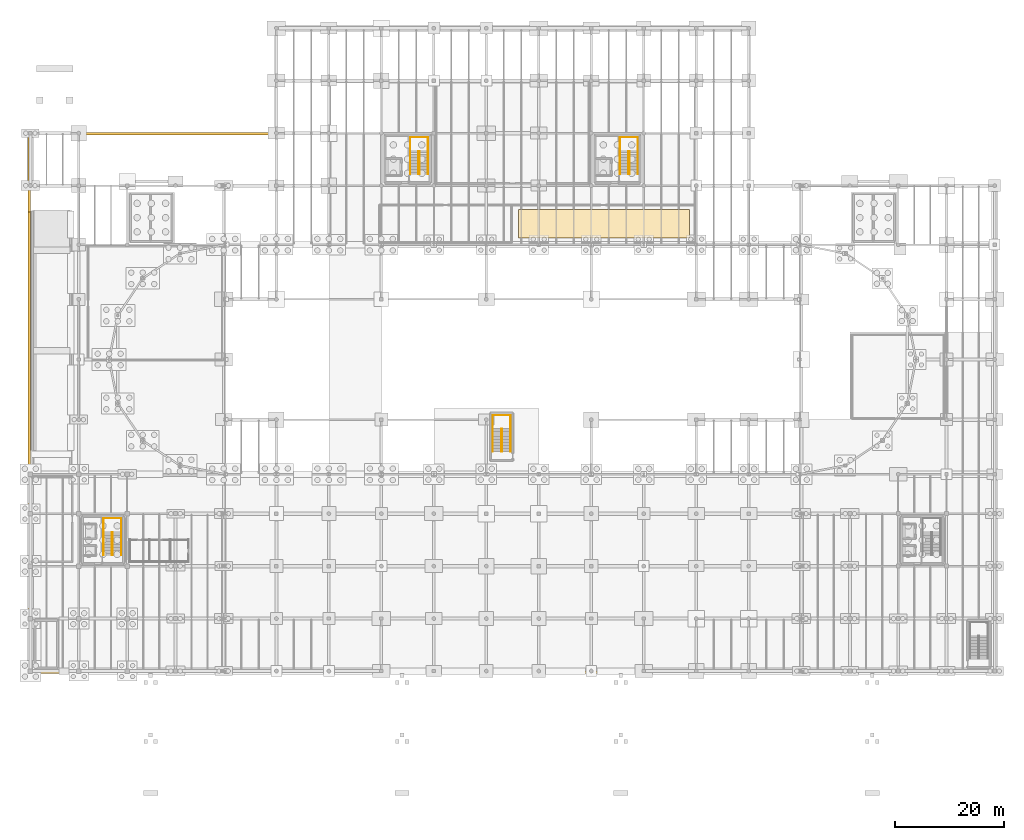
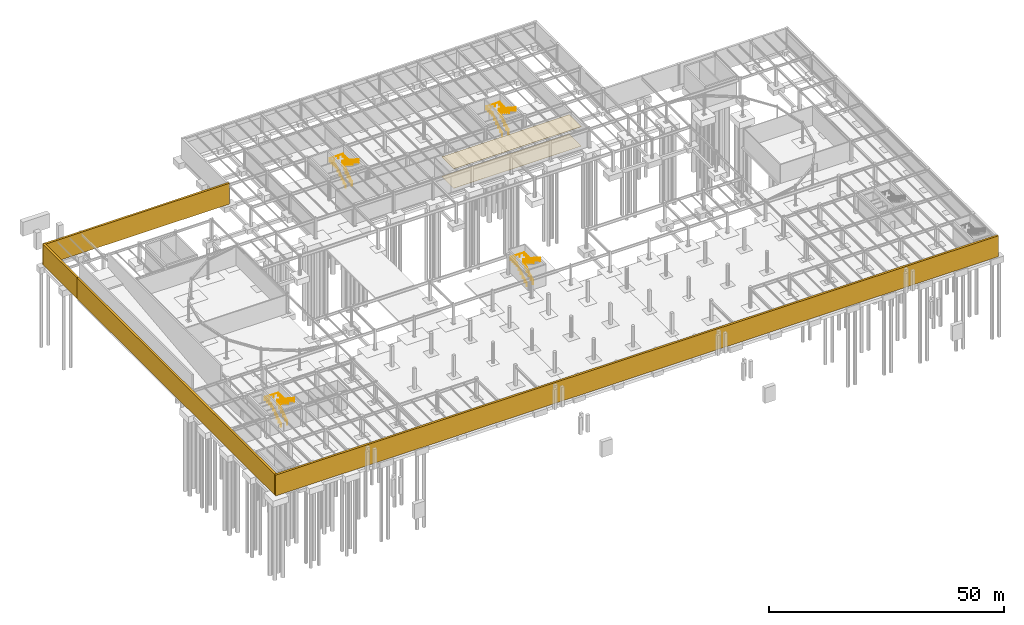
# One storey, part 48 of 50: 8 railings, 6 coverings.
"""IFC4 building model written with IfcOpenShell, lengths in metres."""

from ifc_helpers import new_model, si_unit, direction, frame, origin, origin_2d, place, context, subcontext, project, spatial, polyline, circle, outline, extrude, material, layer, layer_set, type_object, element, save


model = new_model("IFC4")

# Units and contexts
model_context = context("Model", 3, precision=1e-05, world=origin(), true_north=direction((0.0, 1.0)))
body_context = subcontext(model_context, "Body", "Model", "MODEL_VIEW")
ifc_project = project(units=[si_unit("LENGTHUNIT", "METRE"), si_unit("AREAUNIT", "SQUARE_METRE"), si_unit("VOLUMEUNIT", "CUBIC_METRE"), si_unit("PLANEANGLEUNIT", "RADIAN"), si_unit("MASSUNIT", "GRAM", prefix="KILO")], contexts=[model_context])

# Site, building, storey
site_placement = place(None, origin())
site = spatial("IfcSite", under=ifc_project, at=site_placement, CompositionType="ELEMENT")
building_placement = place(site_placement, origin())
building = spatial("IfcBuilding", under=site, at=building_placement, Name="Yeouljin Market Hall", CompositionType="ELEMENT")
storey_placement = place(building_placement, frame((0.0, 0.0, -5.39990234375)))
storey = spatial("IfcBuildingStorey", under=building, at=storey_placement, Name="B1", CompositionType="ELEMENT", Elevation=-5.39990234375)

# Coverings
ifc_material_1 = material(Name="Pocheon Granite Stone", Category="masonry")
ifc_layer_1 = layer(ifc_material_1, 0.360107421875)
ifc_layer_set_1 = layer_set([ifc_layer_1], Name="Pocheon Granite Stone")
covering_type_1 = type_object("IfcCoveringType", Name="Covering_Granite_FloodPlinth", PredefinedType="CLADDING", material=ifc_layer_set_1)
covering_1_placement = place(storey_placement, origin())
element("IfcCovering", 1, at=covering_1_placement, inside=storey, type_object=covering_type_1, Name="Pocheon granite coastal flood plinth enclosure PLSK-SOUTH", PredefinedType="CLADDING", context=body_context, shape_type="SweptSolid", body=[
    extrude(outline(polyline([(-0.449951171875, -0.449951171875), (176.85009765625, -0.449951171875), (176.85009765625, 0.050048828125), (-0.449951171875, 0.050048828125), (-0.449951171875, -0.449951171875)])), origin(), (0.0, 0.0, 1.0), 5.39990234375),
])
covering_2_placement = place(storey_placement, origin())
element("IfcCovering", 2, at=covering_2_placement, inside=storey, type_object=covering_type_1, Name="Pocheon granite coastal flood plinth enclosure PLSK-WEST-S", PredefinedType="CLADDING", context=body_context, shape_type="SweptSolid", body=[
    extrude(outline(polyline([(-0.449951171875, 0.0), (0.050048828125, 0.0), (0.050048828125, 84.0), (-0.449951171875, 84.0), (-0.449951171875, 0.0)])), origin(), (0.0, 0.0, 1.0), 5.39990234375),
])
covering_3_placement = place(storey_placement, origin())
element("IfcCovering", 3, at=covering_3_placement, inside=storey, type_object=covering_type_1, Name="Pocheon granite coastal flood plinth enclosure PLSK-WEST-N", PredefinedType="CLADDING", context=body_context, shape_type="SweptSolid", body=[
    extrude(outline(polyline([(-0.449951171875, 84.0), (0.050048828125, 84.0), (0.050048828125, 98.449951171875), (-0.449951171875, 98.449951171875), (-0.449951171875, 84.0)])), origin(), (0.0, 0.0, 1.0), 5.39990234375),
])
covering_4_placement = place(storey_placement, origin())
element("IfcCovering", 4, at=covering_4_placement, inside=storey, type_object=covering_type_1, Name="Pocheon granite coastal flood plinth enclosure PLSK-WEST-TOP", PredefinedType="CLADDING", context=body_context, shape_type="SweptSolid", body=[
    extrude(outline(polyline([(-0.449951171875, 98.050048828125), (45.10009765625, 98.050048828125), (45.10009765625, 98.550048828125), (-0.449951171875, 98.550048828125), (-0.449951171875, 98.050048828125)])), origin(), (0.0, 0.0, 1.0), 5.39990234375),
])
ifc_material_2 = material(Name="Polished Mineral Terrazzo Flooring")
ifc_layer_2 = layer(ifc_material_2, 0.030029296875)
ifc_layer_set_2 = layer_set([ifc_layer_2], Name="Polished Mineral Terrazzo Flooring")
covering_type_2 = type_object("IfcCoveringType", Name="Covering_Terrazzo_Flooring", PredefinedType="FLOORING", material=ifc_layer_set_2)
covering_5_placement = place(storey_placement, origin())
element("IfcCovering", 5, at=covering_5_placement, inside=storey, type_object=covering_type_2, Name="Polished terrazzo floor finish B1-01", PredefinedType="FLOORING", context=body_context, shape_type="SweptSolid", body=[
    extrude(outline(polyline([(120.550048828125, 79.25), (120.550048828125, 84.39990234375), (89.25, 84.39990234375), (89.25, 79.25), (120.550048828125, 79.25)])), origin(), (0.0, 0.0, 1.0), 0.02978515625),
])
ifc_material_3 = material(Name="Perforated Larch Acoustic Ceiling Baffle")
ifc_layer_3 = layer(ifc_material_3, 0.0400390625)
ifc_layer_set_3 = layer_set([ifc_layer_3], Name="Perforated Larch Acoustic Ceiling Baffle")
covering_type_3 = type_object("IfcCoveringType", Name="Covering_TimberAcoustic_Ceiling", PredefinedType="CEILING", material=ifc_layer_set_3)
covering_6_placement = place(storey_placement, frame((0.0, 0.0, 5.039794921875)))
element("IfcCovering", 6, at=covering_6_placement, inside=storey, type_object=covering_type_3, Name="Acoustic larch baffle ceiling B1-01", PredefinedType="CEILING", context=body_context, shape_type="SweptSolid", body=[
    extrude(outline(polyline([(120.550048828125, 79.25), (120.550048828125, 84.39990234375), (89.25, 84.39990234375), (89.25, 79.25), (120.550048828125, 79.25)])), origin(), (0.0, 0.0, 1.0), 0.0400390625),
])

# Railings
ifc_material_4 = material(Name="Painted Steel Stair Guardrail", Category="steel")
railing_type_1 = type_object("IfcRailingType", Name="Railing_StairGuard_1200", PredefinedType="GUARDRAIL", material=ifc_material_4)
railing_1_placement = place(storey_placement, frame((14.919921875, 21.199951171875, 0.0)))
element("IfcRailing", 7, at=railing_1_placement, inside=storey, type_object=railing_type_1, Name="Stair ST-C1-B1 inner well guardrail", PredefinedType="GUARDRAIL", context=body_context, shape_type="SweptSolid", body=[
    extrude(circle(Radius=0.02392578125, at=origin_2d()), frame((0.0, 0.0, 1.17578125), z_axis=(0.0, 0.838825804899, 0.544399916454), x_axis=(-1.0, 0.0, 0.0)), (0.0, 0.0, 1.0), 4.95947265625),
    extrude(circle(Radius=0.02392578125, at=origin_2d()), frame((0.0, 4.16015625, 3.8759765625), z_axis=(1.0, 0.0, 0.0), x_axis=(0.0, 1.0, 0.0)), (0.0, 0.0, 1.0), 0.16015625),
    extrude(circle(Radius=0.02392578125, at=origin_2d()), frame((0.16015625, 4.16015625, 3.8759765625), z_axis=(0.0, -0.838825804899, 0.544399916454), x_axis=(1.0, 0.0, 0.0)), (0.0, 0.0, 1.0), 4.95947265625),
    extrude(circle(Radius=0.02099609375, at=origin_2d()), origin(), (0.0, 0.0, 1.0), 1.15185546875),
    extrude(circle(Radius=0.02099609375, at=origin_2d()), frame((0.0, 0.83203125, 0.5400390625)), (0.0, 0.0, 1.0), 1.15185546875),
    extrude(circle(Radius=0.02099609375, at=origin_2d()), frame((0.0, 1.6640625, 1.080078125)), (0.0, 0.0, 1.0), 1.15185546875),
    extrude(circle(Radius=0.02099609375, at=origin_2d()), frame((0.0, 2.49609375, 1.619873046875)), (0.0, 0.0, 1.0), 1.15185546875),
    extrude(circle(Radius=0.02099609375, at=origin_2d()), frame((0.0, 3.328125, 2.159912109375)), (0.0, 0.0, 1.0), 1.15185546875),
    extrude(circle(Radius=0.02099609375, at=origin_2d()), frame((0.0, 4.16015625, 2.699951171875)), (0.0, 0.0, 1.0), 1.15185546875),
    extrude(circle(Radius=0.02099609375, at=origin_2d()), frame((0.16015625, 4.16015625, 2.699951171875)), (0.0, 0.0, 1.0), 1.15185546875),
    extrude(circle(Radius=0.02099609375, at=origin_2d()), frame((0.16015625, 3.328125, 3.239990234375)), (0.0, 0.0, 1.0), 1.15185546875),
    extrude(circle(Radius=0.02099609375, at=origin_2d()), frame((0.16015625, 2.49609375, 3.780029296875)), (0.0, 0.0, 1.0), 1.15185546875),
    extrude(circle(Radius=0.02099609375, at=origin_2d()), frame((0.16015625, 1.6640625, 4.31982421875)), (0.0, 0.0, 1.0), 1.15185546875),
    extrude(circle(Radius=0.02099609375, at=origin_2d()), frame((0.16015625, 0.83203125, 4.85986328125)), (0.0, 0.0, 1.0), 1.15185546875),
    extrude(circle(Radius=0.02099609375, at=origin_2d()), frame((0.16015625, 0.0, 5.39990234375)), (0.0, 0.0, 1.0), 1.15185546875),
])
railing_2_placement = place(storey_placement, frame((71.02001953125, 90.89990234375, 0.0)))
element("IfcRailing", 8, at=railing_2_placement, inside=storey, type_object=railing_type_1, Name="Stair ST-C5-B1 inner well guardrail", PredefinedType="GUARDRAIL", context=body_context, shape_type="SweptSolid", body=[
    extrude(circle(Radius=0.02392578125, at=origin_2d()), frame((0.0, 0.0, 1.17578125), z_axis=(0.0, 0.838825804899, 0.544399916454), x_axis=(-1.0, 0.0, 0.0)), (0.0, 0.0, 1.0), 4.95947265625),
    extrude(circle(Radius=0.02392578125, at=origin_2d()), frame((0.0, 4.16015625, 3.8759765625), z_axis=(1.0, 0.0, 0.0), x_axis=(0.0, 1.0, 0.0)), (0.0, 0.0, 1.0), 0.159912109375),
    extrude(circle(Radius=0.02392578125, at=origin_2d()), frame((0.159912109375, 4.16015625, 3.8759765625), z_axis=(0.0, -0.838825804899, 0.544399916454), x_axis=(1.0, 0.0, 0.0)), (0.0, 0.0, 1.0), 4.95947265625),
    extrude(circle(Radius=0.02099609375, at=origin_2d()), origin(), (0.0, 0.0, 1.0), 1.15185546875),
    extrude(circle(Radius=0.02099609375, at=origin_2d()), frame((0.0, 0.83203125, 0.5400390625)), (0.0, 0.0, 1.0), 1.15185546875),
    extrude(circle(Radius=0.02099609375, at=origin_2d()), frame((0.0, 1.6640625, 1.080078125)), (0.0, 0.0, 1.0), 1.15185546875),
    extrude(circle(Radius=0.02099609375, at=origin_2d()), frame((0.0, 2.49609375, 1.619873046875)), (0.0, 0.0, 1.0), 1.15185546875),
    extrude(circle(Radius=0.02099609375, at=origin_2d()), frame((0.0, 3.328125, 2.159912109375)), (0.0, 0.0, 1.0), 1.15185546875),
    extrude(circle(Radius=0.02099609375, at=origin_2d()), frame((0.0, 4.16015625, 2.699951171875)), (0.0, 0.0, 1.0), 1.15185546875),
    extrude(circle(Radius=0.02099609375, at=origin_2d()), frame((0.159912109375, 4.16015625, 2.699951171875)), (0.0, 0.0, 1.0), 1.15185546875),
    extrude(circle(Radius=0.02099609375, at=origin_2d()), frame((0.159912109375, 3.328125, 3.239990234375)), (0.0, 0.0, 1.0), 1.15185546875),
    extrude(circle(Radius=0.02099609375, at=origin_2d()), frame((0.159912109375, 2.49609375, 3.780029296875)), (0.0, 0.0, 1.0), 1.15185546875),
    extrude(circle(Radius=0.02099609375, at=origin_2d()), frame((0.159912109375, 1.6640625, 4.31982421875)), (0.0, 0.0, 1.0), 1.15185546875),
    extrude(circle(Radius=0.02099609375, at=origin_2d()), frame((0.159912109375, 0.83203125, 4.85986328125)), (0.0, 0.0, 1.0), 1.15185546875),
    extrude(circle(Radius=0.02099609375, at=origin_2d()), frame((0.159912109375, 0.0, 5.39990234375)), (0.0, 0.0, 1.0), 1.15185546875),
])
railing_3_placement = place(storey_placement, frame((109.419921875, 90.89990234375, 0.0)))
element("IfcRailing", 9, at=railing_3_placement, inside=storey, type_object=railing_type_1, Name="Stair ST-C6-B1 inner well guardrail", PredefinedType="GUARDRAIL", context=body_context, shape_type="SweptSolid", body=[
    extrude(circle(Radius=0.02392578125, at=origin_2d()), frame((0.0, 0.0, 1.17578125), z_axis=(0.0, 0.838825804899, 0.544399916454), x_axis=(-1.0, 0.0, 0.0)), (0.0, 0.0, 1.0), 4.95947265625),
    extrude(circle(Radius=0.02392578125, at=origin_2d()), frame((0.0, 4.16015625, 3.8759765625), z_axis=(1.0, 0.0, 0.0), x_axis=(0.0, 1.0, 0.0)), (0.0, 0.0, 1.0), 0.16015625),
    extrude(circle(Radius=0.02392578125, at=origin_2d()), frame((0.16015625, 4.16015625, 3.8759765625), z_axis=(0.0, -0.838825804899, 0.544399916454), x_axis=(1.0, 0.0, 0.0)), (0.0, 0.0, 1.0), 4.95947265625),
    extrude(circle(Radius=0.02099609375, at=origin_2d()), origin(), (0.0, 0.0, 1.0), 1.15185546875),
    extrude(circle(Radius=0.02099609375, at=origin_2d()), frame((0.0, 0.83203125, 0.5400390625)), (0.0, 0.0, 1.0), 1.15185546875),
    extrude(circle(Radius=0.02099609375, at=origin_2d()), frame((0.0, 1.6640625, 1.080078125)), (0.0, 0.0, 1.0), 1.15185546875),
    extrude(circle(Radius=0.02099609375, at=origin_2d()), frame((0.0, 2.49609375, 1.619873046875)), (0.0, 0.0, 1.0), 1.15185546875),
    extrude(circle(Radius=0.02099609375, at=origin_2d()), frame((0.0, 3.328125, 2.159912109375)), (0.0, 0.0, 1.0), 1.15185546875),
    extrude(circle(Radius=0.02099609375, at=origin_2d()), frame((0.0, 4.16015625, 2.699951171875)), (0.0, 0.0, 1.0), 1.15185546875),
    extrude(circle(Radius=0.02099609375, at=origin_2d()), frame((0.16015625, 4.16015625, 2.699951171875)), (0.0, 0.0, 1.0), 1.15185546875),
    extrude(circle(Radius=0.02099609375, at=origin_2d()), frame((0.16015625, 3.328125, 3.239990234375)), (0.0, 0.0, 1.0), 1.15185546875),
    extrude(circle(Radius=0.02099609375, at=origin_2d()), frame((0.16015625, 2.49609375, 3.780029296875)), (0.0, 0.0, 1.0), 1.15185546875),
    extrude(circle(Radius=0.02099609375, at=origin_2d()), frame((0.16015625, 1.6640625, 4.31982421875)), (0.0, 0.0, 1.0), 1.15185546875),
    extrude(circle(Radius=0.02099609375, at=origin_2d()), frame((0.16015625, 0.83203125, 4.85986328125)), (0.0, 0.0, 1.0), 1.15185546875),
    extrude(circle(Radius=0.02099609375, at=origin_2d()), frame((0.16015625, 0.0, 5.39990234375)), (0.0, 0.0, 1.0), 1.15185546875),
])
railing_4_placement = place(storey_placement, frame((86.1201171875, 40.14990234375, 0.0)))
element("IfcRailing", 10, at=railing_4_placement, inside=storey, type_object=railing_type_1, Name="Stair ST-S9-B1 inner well guardrail", PredefinedType="GUARDRAIL", context=body_context, shape_type="SweptSolid", body=[
    extrude(circle(Radius=0.02392578125, at=origin_2d()), frame((0.0, 0.0, 1.17578125), z_axis=(0.0, 0.838825804899, 0.544399916454), x_axis=(-1.0, 0.0, 0.0)), (0.0, 0.0, 1.0), 4.95947265625),
    extrude(circle(Radius=0.02392578125, at=origin_2d()), frame((0.0, 4.16015625, 3.8759765625), z_axis=(1.0, 0.0, 0.0), x_axis=(0.0, 1.0, 0.0)), (0.0, 0.0, 1.0), 0.159912109375),
    extrude(circle(Radius=0.02392578125, at=origin_2d()), frame((0.159912109375, 4.16015625, 3.8759765625), z_axis=(0.0, -0.838825804899, 0.544399916454), x_axis=(1.0, 0.0, 0.0)), (0.0, 0.0, 1.0), 4.95947265625),
    extrude(circle(Radius=0.02099609375, at=origin_2d()), origin(), (0.0, 0.0, 1.0), 1.15185546875),
    extrude(circle(Radius=0.02099609375, at=origin_2d()), frame((0.0, 0.83203125, 0.5400390625)), (0.0, 0.0, 1.0), 1.15185546875),
    extrude(circle(Radius=0.02099609375, at=origin_2d()), frame((0.0, 1.6640625, 1.080078125)), (0.0, 0.0, 1.0), 1.15185546875),
    extrude(circle(Radius=0.02099609375, at=origin_2d()), frame((0.0, 2.49609375, 1.619873046875)), (0.0, 0.0, 1.0), 1.15185546875),
    extrude(circle(Radius=0.02099609375, at=origin_2d()), frame((0.0, 3.328125, 2.159912109375)), (0.0, 0.0, 1.0), 1.15185546875),
    extrude(circle(Radius=0.02099609375, at=origin_2d()), frame((0.0, 4.16015625, 2.699951171875)), (0.0, 0.0, 1.0), 1.15185546875),
    extrude(circle(Radius=0.02099609375, at=origin_2d()), frame((0.159912109375, 4.16015625, 2.699951171875)), (0.0, 0.0, 1.0), 1.15185546875),
    extrude(circle(Radius=0.02099609375, at=origin_2d()), frame((0.159912109375, 3.328125, 3.239990234375)), (0.0, 0.0, 1.0), 1.15185546875),
    extrude(circle(Radius=0.02099609375, at=origin_2d()), frame((0.159912109375, 2.49609375, 3.780029296875)), (0.0, 0.0, 1.0), 1.15185546875),
    extrude(circle(Radius=0.02099609375, at=origin_2d()), frame((0.159912109375, 1.6640625, 4.31982421875)), (0.0, 0.0, 1.0), 1.15185546875),
    extrude(circle(Radius=0.02099609375, at=origin_2d()), frame((0.159912109375, 0.83203125, 4.85986328125)), (0.0, 0.0, 1.0), 1.15185546875),
    extrude(circle(Radius=0.02099609375, at=origin_2d()), frame((0.159912109375, 0.0, 5.39990234375)), (0.0, 0.0, 1.0), 1.15185546875),
])
ifc_material_5 = material(Name="Brushed Stainless Steel", Category="steel")
railing_type_2 = type_object("IfcRailingType", Name="Railing_StairHandrail_900", PredefinedType="HANDRAIL", material=ifc_material_5)
railing_5_placement = place(storey_placement, frame((13.3798828125, 21.199951171875, 0.0)))
element("IfcRailing", 11, at=railing_5_placement, inside=storey, type_object=railing_type_2, Name="Stair ST-C1-B1 wall handrail", PredefinedType="HANDRAIL", context=body_context, shape_type="SweptSolid", body=[
    extrude(circle(Radius=0.02392578125, at=origin_2d()), frame((0.0, 0.0, 0.8759765625), z_axis=(0.0, 0.838825804899, 0.544399916454), x_axis=(-1.0, 0.0, 0.0)), (0.0, 0.0, 1.0), 4.95947265625),
    extrude(circle(Radius=0.02392578125, at=origin_2d()), frame((0.0, 4.16015625, 3.57568359375), z_axis=(0.0, 1.0, 0.0), x_axis=(-1.0, 0.0, 0.0)), (0.0, 0.0, 1.0), 2.60986328125),
    extrude(circle(Radius=0.02392578125, at=origin_2d()), frame((0.0, 6.77001953125, 3.57568359375), z_axis=(1.0, 0.0, 0.0), x_axis=(0.0, 1.0, 0.0)), (0.0, 0.0, 1.0), 3.240234375),
    extrude(circle(Radius=0.02392578125, at=origin_2d()), frame((3.240234375, 6.77001953125, 3.57568359375), z_axis=(0.0, -1.0, 0.0), x_axis=(1.0, 0.0, 0.0)), (0.0, 0.0, 1.0), 2.60986328125),
    extrude(circle(Radius=0.02392578125, at=origin_2d()), frame((3.240234375, 4.16015625, 3.57568359375), z_axis=(0.0, -0.838825804899, 0.544399916454), x_axis=(1.0, 0.0, 0.0)), (0.0, 0.0, 1.0), 4.95947265625),
    extrude(circle(Radius=0.02099609375, at=origin_2d()), origin(), (0.0, 0.0, 1.0), 0.851806640625),
    extrude(circle(Radius=0.02099609375, at=origin_2d()), frame((0.0, 0.83203125, 0.5400390625)), (0.0, 0.0, 1.0), 0.851806640625),
    extrude(circle(Radius=0.02099609375, at=origin_2d()), frame((0.0, 1.6640625, 1.080078125)), (0.0, 0.0, 1.0), 0.851806640625),
    extrude(circle(Radius=0.02099609375, at=origin_2d()), frame((0.0, 2.49609375, 1.619873046875)), (0.0, 0.0, 1.0), 0.851806640625),
    extrude(circle(Radius=0.02099609375, at=origin_2d()), frame((0.0, 3.328125, 2.159912109375)), (0.0, 0.0, 1.0), 0.851806640625),
    extrude(circle(Radius=0.02099609375, at=origin_2d()), frame((0.0, 4.16015625, 2.699951171875)), (0.0, 0.0, 1.0), 0.851806640625),
    extrude(circle(Radius=0.02099609375, at=origin_2d()), frame((0.0, 5.030029296875, 2.699951171875)), (0.0, 0.0, 1.0), 0.851806640625),
    extrude(circle(Radius=0.02099609375, at=origin_2d()), frame((0.0, 5.900146484375, 2.699951171875)), (0.0, 0.0, 1.0), 0.851806640625),
    extrude(circle(Radius=0.02099609375, at=origin_2d()), frame((0.0, 6.77001953125, 2.699951171875)), (0.0, 0.0, 1.0), 0.851806640625),
    extrude(circle(Radius=0.02099609375, at=origin_2d()), frame((1.080078125, 6.77001953125, 2.699951171875)), (0.0, 0.0, 1.0), 0.851806640625),
    extrude(circle(Radius=0.02099609375, at=origin_2d()), frame((2.16015625, 6.77001953125, 2.699951171875)), (0.0, 0.0, 1.0), 0.851806640625),
    extrude(circle(Radius=0.02099609375, at=origin_2d()), frame((3.240234375, 6.77001953125, 2.699951171875)), (0.0, 0.0, 1.0), 0.851806640625),
    extrude(circle(Radius=0.02099609375, at=origin_2d()), frame((3.240234375, 5.900146484375, 2.699951171875)), (0.0, 0.0, 1.0), 0.851806640625),
    extrude(circle(Radius=0.02099609375, at=origin_2d()), frame((3.240234375, 5.030029296875, 2.699951171875)), (0.0, 0.0, 1.0), 0.851806640625),
    extrude(circle(Radius=0.02099609375, at=origin_2d()), frame((3.240234375, 4.16015625, 2.699951171875)), (0.0, 0.0, 1.0), 0.851806640625),
    extrude(circle(Radius=0.02099609375, at=origin_2d()), frame((3.240234375, 3.328125, 3.239990234375)), (0.0, 0.0, 1.0), 0.851806640625),
    extrude(circle(Radius=0.02099609375, at=origin_2d()), frame((3.240234375, 2.49609375, 3.780029296875)), (0.0, 0.0, 1.0), 0.851806640625),
    extrude(circle(Radius=0.02099609375, at=origin_2d()), frame((3.240234375, 1.6640625, 4.31982421875)), (0.0, 0.0, 1.0), 0.851806640625),
    extrude(circle(Radius=0.02099609375, at=origin_2d()), frame((3.240234375, 0.83203125, 4.85986328125)), (0.0, 0.0, 1.0), 0.851806640625),
    extrude(circle(Radius=0.02099609375, at=origin_2d()), frame((3.240234375, 0.0, 5.39990234375)), (0.0, 0.0, 1.0), 0.851806640625),
])
railing_6_placement = place(storey_placement, frame((69.47998046875, 90.89990234375, 0.0)))
element("IfcRailing", 12, at=railing_6_placement, inside=storey, type_object=railing_type_2, Name="Stair ST-C5-B1 wall handrail", PredefinedType="HANDRAIL", context=body_context, shape_type="SweptSolid", body=[
    extrude(circle(Radius=0.02392578125, at=origin_2d()), frame((0.0, 0.0, 0.8759765625), z_axis=(0.0, 0.838825804899, 0.544399916454), x_axis=(-1.0, 0.0, 0.0)), (0.0, 0.0, 1.0), 4.95947265625),
    extrude(circle(Radius=0.02392578125, at=origin_2d()), frame((0.0, 4.16015625, 3.57568359375), z_axis=(0.0, 1.0, 0.0), x_axis=(-1.0, 0.0, 0.0)), (0.0, 0.0, 1.0), 2.60986328125),
    extrude(circle(Radius=0.02392578125, at=origin_2d()), frame((0.0, 6.77001953125, 3.57568359375), z_axis=(1.0, 0.0, 0.0), x_axis=(0.0, 1.0, 0.0)), (0.0, 0.0, 1.0), 3.239990234375),
    extrude(circle(Radius=0.02392578125, at=origin_2d()), frame((3.239990234375, 6.77001953125, 3.57568359375), z_axis=(0.0, -1.0, 0.0), x_axis=(1.0, 0.0, 0.0)), (0.0, 0.0, 1.0), 2.60986328125),
    extrude(circle(Radius=0.02392578125, at=origin_2d()), frame((3.239990234375, 4.16015625, 3.57568359375), z_axis=(0.0, -0.838825804899, 0.544399916454), x_axis=(1.0, 0.0, 0.0)), (0.0, 0.0, 1.0), 4.95947265625),
    extrude(circle(Radius=0.02099609375, at=origin_2d()), origin(), (0.0, 0.0, 1.0), 0.851806640625),
    extrude(circle(Radius=0.02099609375, at=origin_2d()), frame((0.0, 0.83203125, 0.5400390625)), (0.0, 0.0, 1.0), 0.851806640625),
    extrude(circle(Radius=0.02099609375, at=origin_2d()), frame((0.0, 1.6640625, 1.080078125)), (0.0, 0.0, 1.0), 0.851806640625),
    extrude(circle(Radius=0.02099609375, at=origin_2d()), frame((0.0, 2.49609375, 1.619873046875)), (0.0, 0.0, 1.0), 0.851806640625),
    extrude(circle(Radius=0.02099609375, at=origin_2d()), frame((0.0, 3.328125, 2.159912109375)), (0.0, 0.0, 1.0), 0.851806640625),
    extrude(circle(Radius=0.02099609375, at=origin_2d()), frame((0.0, 4.16015625, 2.699951171875)), (0.0, 0.0, 1.0), 0.851806640625),
    extrude(circle(Radius=0.02099609375, at=origin_2d()), frame((0.0, 5.030029296875, 2.699951171875)), (0.0, 0.0, 1.0), 0.851806640625),
    extrude(circle(Radius=0.02099609375, at=origin_2d()), frame((0.0, 5.900146484375, 2.699951171875)), (0.0, 0.0, 1.0), 0.851806640625),
    extrude(circle(Radius=0.02099609375, at=origin_2d()), frame((0.0, 6.77001953125, 2.699951171875)), (0.0, 0.0, 1.0), 0.851806640625),
    extrude(circle(Radius=0.02099609375, at=origin_2d()), frame((1.080078125, 6.77001953125, 2.699951171875)), (0.0, 0.0, 1.0), 0.851806640625),
    extrude(circle(Radius=0.02099609375, at=origin_2d()), frame((2.159912109375, 6.77001953125, 2.699951171875)), (0.0, 0.0, 1.0), 0.851806640625),
    extrude(circle(Radius=0.02099609375, at=origin_2d()), frame((3.239990234375, 6.77001953125, 2.699951171875)), (0.0, 0.0, 1.0), 0.851806640625),
    extrude(circle(Radius=0.02099609375, at=origin_2d()), frame((3.239990234375, 5.900146484375, 2.699951171875)), (0.0, 0.0, 1.0), 0.851806640625),
    extrude(circle(Radius=0.02099609375, at=origin_2d()), frame((3.239990234375, 5.030029296875, 2.699951171875)), (0.0, 0.0, 1.0), 0.851806640625),
    extrude(circle(Radius=0.02099609375, at=origin_2d()), frame((3.239990234375, 4.16015625, 2.699951171875)), (0.0, 0.0, 1.0), 0.851806640625),
    extrude(circle(Radius=0.02099609375, at=origin_2d()), frame((3.239990234375, 3.328125, 3.239990234375)), (0.0, 0.0, 1.0), 0.851806640625),
    extrude(circle(Radius=0.02099609375, at=origin_2d()), frame((3.239990234375, 2.49609375, 3.780029296875)), (0.0, 0.0, 1.0), 0.851806640625),
    extrude(circle(Radius=0.02099609375, at=origin_2d()), frame((3.239990234375, 1.6640625, 4.31982421875)), (0.0, 0.0, 1.0), 0.851806640625),
    extrude(circle(Radius=0.02099609375, at=origin_2d()), frame((3.239990234375, 0.83203125, 4.85986328125)), (0.0, 0.0, 1.0), 0.851806640625),
    extrude(circle(Radius=0.02099609375, at=origin_2d()), frame((3.239990234375, 0.0, 5.39990234375)), (0.0, 0.0, 1.0), 0.851806640625),
])
railing_7_placement = place(storey_placement, frame((107.8798828125, 90.89990234375, 0.0)))
element("IfcRailing", 13, at=railing_7_placement, inside=storey, type_object=railing_type_2, Name="Stair ST-C6-B1 wall handrail", PredefinedType="HANDRAIL", context=body_context, shape_type="SweptSolid", body=[
    extrude(circle(Radius=0.02392578125, at=origin_2d()), frame((0.0, 0.0, 0.8759765625), z_axis=(0.0, 0.838825804899, 0.544399916454), x_axis=(-1.0, 0.0, 0.0)), (0.0, 0.0, 1.0), 4.95947265625),
    extrude(circle(Radius=0.02392578125, at=origin_2d()), frame((0.0, 4.16015625, 3.57568359375), z_axis=(0.0, 1.0, 0.0), x_axis=(-1.0, 0.0, 0.0)), (0.0, 0.0, 1.0), 2.60986328125),
    extrude(circle(Radius=0.02392578125, at=origin_2d()), frame((0.0, 6.77001953125, 3.57568359375), z_axis=(1.0, 0.0, 0.0), x_axis=(0.0, 1.0, 0.0)), (0.0, 0.0, 1.0), 3.240234375),
    extrude(circle(Radius=0.02392578125, at=origin_2d()), frame((3.240234375, 6.77001953125, 3.57568359375), z_axis=(0.0, -1.0, 0.0), x_axis=(1.0, 0.0, 0.0)), (0.0, 0.0, 1.0), 2.60986328125),
    extrude(circle(Radius=0.02392578125, at=origin_2d()), frame((3.240234375, 4.16015625, 3.57568359375), z_axis=(0.0, -0.838825804899, 0.544399916454), x_axis=(1.0, 0.0, 0.0)), (0.0, 0.0, 1.0), 4.95947265625),
    extrude(circle(Radius=0.02099609375, at=origin_2d()), origin(), (0.0, 0.0, 1.0), 0.851806640625),
    extrude(circle(Radius=0.02099609375, at=origin_2d()), frame((0.0, 0.83203125, 0.5400390625)), (0.0, 0.0, 1.0), 0.851806640625),
    extrude(circle(Radius=0.02099609375, at=origin_2d()), frame((0.0, 1.6640625, 1.080078125)), (0.0, 0.0, 1.0), 0.851806640625),
    extrude(circle(Radius=0.02099609375, at=origin_2d()), frame((0.0, 2.49609375, 1.619873046875)), (0.0, 0.0, 1.0), 0.851806640625),
    extrude(circle(Radius=0.02099609375, at=origin_2d()), frame((0.0, 3.328125, 2.159912109375)), (0.0, 0.0, 1.0), 0.851806640625),
    extrude(circle(Radius=0.02099609375, at=origin_2d()), frame((0.0, 4.16015625, 2.699951171875)), (0.0, 0.0, 1.0), 0.851806640625),
    extrude(circle(Radius=0.02099609375, at=origin_2d()), frame((0.0, 5.030029296875, 2.699951171875)), (0.0, 0.0, 1.0), 0.851806640625),
    extrude(circle(Radius=0.02099609375, at=origin_2d()), frame((0.0, 5.900146484375, 2.699951171875)), (0.0, 0.0, 1.0), 0.851806640625),
    extrude(circle(Radius=0.02099609375, at=origin_2d()), frame((0.0, 6.77001953125, 2.699951171875)), (0.0, 0.0, 1.0), 0.851806640625),
    extrude(circle(Radius=0.02099609375, at=origin_2d()), frame((1.080078125, 6.77001953125, 2.699951171875)), (0.0, 0.0, 1.0), 0.851806640625),
    extrude(circle(Radius=0.02099609375, at=origin_2d()), frame((2.16015625, 6.77001953125, 2.699951171875)), (0.0, 0.0, 1.0), 0.851806640625),
    extrude(circle(Radius=0.02099609375, at=origin_2d()), frame((3.240234375, 6.77001953125, 2.699951171875)), (0.0, 0.0, 1.0), 0.851806640625),
    extrude(circle(Radius=0.02099609375, at=origin_2d()), frame((3.240234375, 5.900146484375, 2.699951171875)), (0.0, 0.0, 1.0), 0.851806640625),
    extrude(circle(Radius=0.02099609375, at=origin_2d()), frame((3.240234375, 5.030029296875, 2.699951171875)), (0.0, 0.0, 1.0), 0.851806640625),
    extrude(circle(Radius=0.02099609375, at=origin_2d()), frame((3.240234375, 4.16015625, 2.699951171875)), (0.0, 0.0, 1.0), 0.851806640625),
    extrude(circle(Radius=0.02099609375, at=origin_2d()), frame((3.240234375, 3.328125, 3.239990234375)), (0.0, 0.0, 1.0), 0.851806640625),
    extrude(circle(Radius=0.02099609375, at=origin_2d()), frame((3.240234375, 2.49609375, 3.780029296875)), (0.0, 0.0, 1.0), 0.851806640625),
    extrude(circle(Radius=0.02099609375, at=origin_2d()), frame((3.240234375, 1.6640625, 4.31982421875)), (0.0, 0.0, 1.0), 0.851806640625),
    extrude(circle(Radius=0.02099609375, at=origin_2d()), frame((3.240234375, 0.83203125, 4.85986328125)), (0.0, 0.0, 1.0), 0.851806640625),
    extrude(circle(Radius=0.02099609375, at=origin_2d()), frame((3.240234375, 0.0, 5.39990234375)), (0.0, 0.0, 1.0), 0.851806640625),
])
railing_8_placement = place(storey_placement, frame((84.580078125, 40.14990234375, 0.0)))
element("IfcRailing", 14, at=railing_8_placement, inside=storey, type_object=railing_type_2, Name="Stair ST-S9-B1 wall handrail", PredefinedType="HANDRAIL", context=body_context, shape_type="SweptSolid", body=[
    extrude(circle(Radius=0.02392578125, at=origin_2d()), frame((0.0, 0.0, 0.8759765625), z_axis=(0.0, 0.838825804899, 0.544399916454), x_axis=(-1.0, 0.0, 0.0)), (0.0, 0.0, 1.0), 4.95947265625),
    extrude(circle(Radius=0.02392578125, at=origin_2d()), frame((0.0, 4.16015625, 3.57568359375), z_axis=(0.0, 1.0, 0.0), x_axis=(-1.0, 0.0, 0.0)), (0.0, 0.0, 1.0), 2.510009765625),
    extrude(circle(Radius=0.02392578125, at=origin_2d()), frame((0.0, 6.670166015625, 3.57568359375), z_axis=(1.0, 0.0, 0.0), x_axis=(0.0, 1.0, 0.0)), (0.0, 0.0, 1.0), 3.239990234375),
    extrude(circle(Radius=0.02392578125, at=origin_2d()), frame((3.239990234375, 6.670166015625, 3.57568359375), z_axis=(0.0, -1.0, 0.0), x_axis=(1.0, 0.0, 0.0)), (0.0, 0.0, 1.0), 2.510009765625),
    extrude(circle(Radius=0.02392578125, at=origin_2d()), frame((3.239990234375, 4.16015625, 3.57568359375), z_axis=(0.0, -0.838825804899, 0.544399916454), x_axis=(1.0, 0.0, 0.0)), (0.0, 0.0, 1.0), 4.95947265625),
    extrude(circle(Radius=0.02099609375, at=origin_2d()), origin(), (0.0, 0.0, 1.0), 0.851806640625),
    extrude(circle(Radius=0.02099609375, at=origin_2d()), frame((0.0, 0.83203125, 0.5400390625)), (0.0, 0.0, 1.0), 0.851806640625),
    extrude(circle(Radius=0.02099609375, at=origin_2d()), frame((0.0, 1.6640625, 1.080078125)), (0.0, 0.0, 1.0), 0.851806640625),
    extrude(circle(Radius=0.02099609375, at=origin_2d()), frame((0.0, 2.49609375, 1.619873046875)), (0.0, 0.0, 1.0), 0.851806640625),
    extrude(circle(Radius=0.02099609375, at=origin_2d()), frame((0.0, 3.328125, 2.159912109375)), (0.0, 0.0, 1.0), 0.851806640625),
    extrude(circle(Radius=0.02099609375, at=origin_2d()), frame((0.0, 4.16015625, 2.699951171875)), (0.0, 0.0, 1.0), 0.851806640625),
    extrude(circle(Radius=0.02099609375, at=origin_2d()), frame((0.0, 4.996826171875, 2.699951171875)), (0.0, 0.0, 1.0), 0.851806640625),
    extrude(circle(Radius=0.02099609375, at=origin_2d()), frame((0.0, 5.83349609375, 2.699951171875)), (0.0, 0.0, 1.0), 0.851806640625),
    extrude(circle(Radius=0.02099609375, at=origin_2d()), frame((0.0, 6.670166015625, 2.699951171875)), (0.0, 0.0, 1.0), 0.851806640625),
    extrude(circle(Radius=0.02099609375, at=origin_2d()), frame((1.080078125, 6.670166015625, 2.699951171875)), (0.0, 0.0, 1.0), 0.851806640625),
    extrude(circle(Radius=0.02099609375, at=origin_2d()), frame((2.159912109375, 6.670166015625, 2.699951171875)), (0.0, 0.0, 1.0), 0.851806640625),
    extrude(circle(Radius=0.02099609375, at=origin_2d()), frame((3.239990234375, 6.670166015625, 2.699951171875)), (0.0, 0.0, 1.0), 0.851806640625),
    extrude(circle(Radius=0.02099609375, at=origin_2d()), frame((3.239990234375, 5.83349609375, 2.699951171875)), (0.0, 0.0, 1.0), 0.851806640625),
    extrude(circle(Radius=0.02099609375, at=origin_2d()), frame((3.239990234375, 4.996826171875, 2.699951171875)), (0.0, 0.0, 1.0), 0.851806640625),
    extrude(circle(Radius=0.02099609375, at=origin_2d()), frame((3.239990234375, 4.16015625, 2.699951171875)), (0.0, 0.0, 1.0), 0.851806640625),
    extrude(circle(Radius=0.02099609375, at=origin_2d()), frame((3.239990234375, 3.328125, 3.239990234375)), (0.0, 0.0, 1.0), 0.851806640625),
    extrude(circle(Radius=0.02099609375, at=origin_2d()), frame((3.239990234375, 2.49609375, 3.780029296875)), (0.0, 0.0, 1.0), 0.851806640625),
    extrude(circle(Radius=0.02099609375, at=origin_2d()), frame((3.239990234375, 1.6640625, 4.31982421875)), (0.0, 0.0, 1.0), 0.851806640625),
    extrude(circle(Radius=0.02099609375, at=origin_2d()), frame((3.239990234375, 0.83203125, 4.85986328125)), (0.0, 0.0, 1.0), 0.851806640625),
    extrude(circle(Radius=0.02099609375, at=origin_2d()), frame((3.239990234375, 0.0, 5.39990234375)), (0.0, 0.0, 1.0), 0.851806640625),
])

save(model, "model.ifc")
